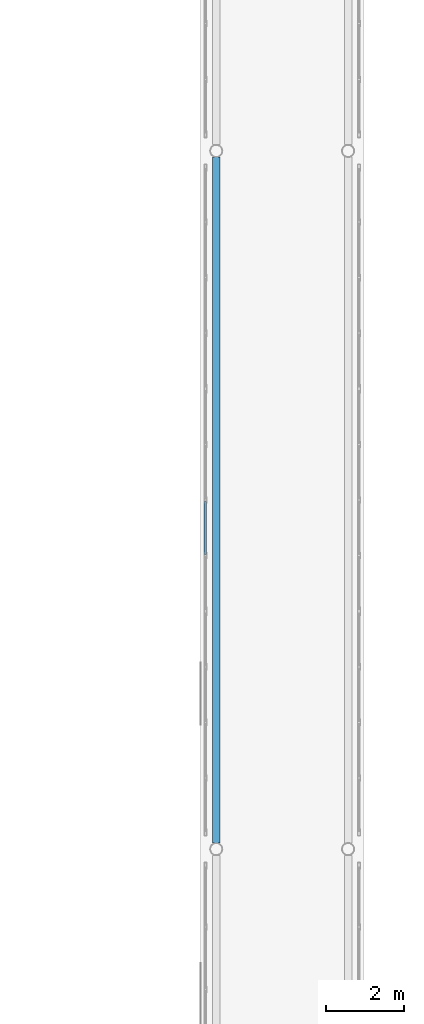
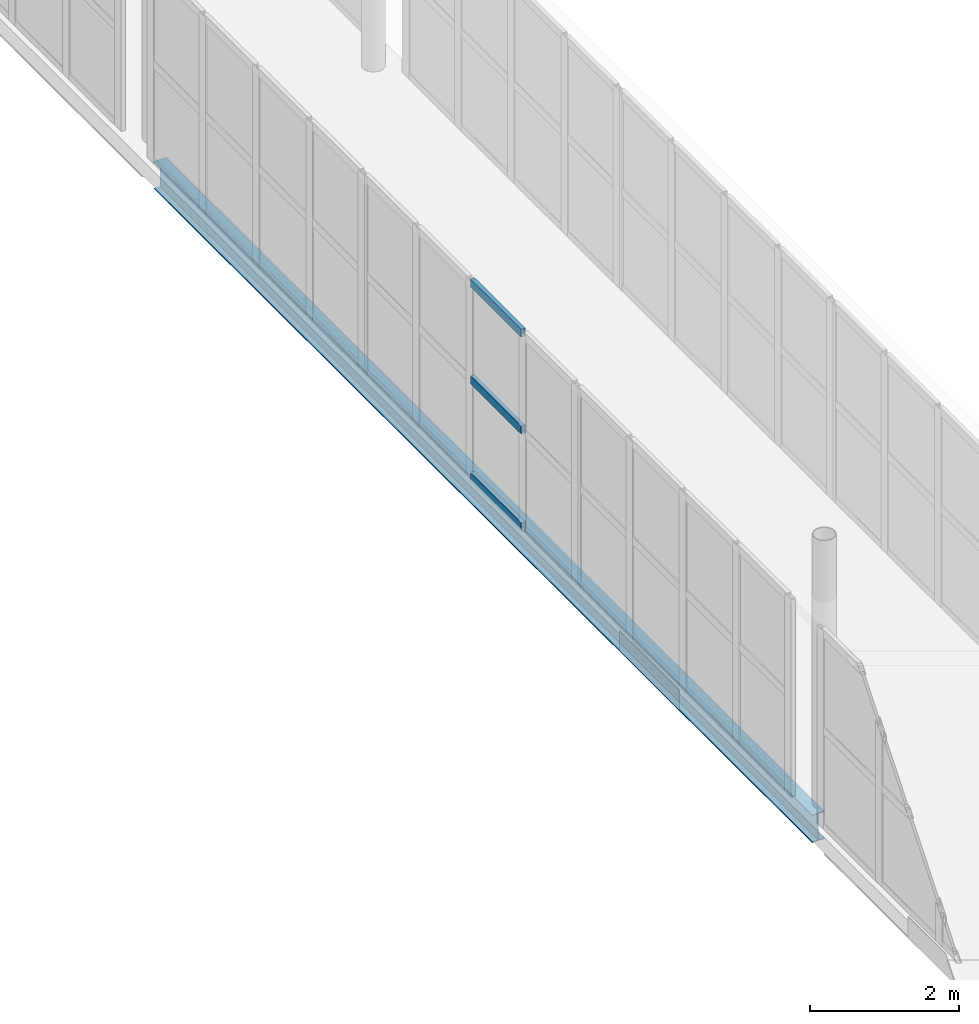
# One storey, part 36 of 142: 3 members, 1 beam, 1 element without a shape of its own.
"""IFC4 building model written with IfcOpenShell, lengths in metres."""

from ifc_helpers import new_model, si_unit, direction, frame, origin, origin_2d, place, context, subcontext, project, spatial, hollow_rectangle, i_section, extrude, material, layer, layer_set, material_profile, profile_set, type_object, element, aggregate, save


model = new_model("IFC4")

# Units and contexts
model_context = context("Model", 3, precision=1e-05, world=origin(), true_north=direction((0.0, 1.0)))
body_context = subcontext(model_context, "Body", "Model", "MODEL_VIEW")
ifc_project = project(units=[si_unit("LENGTHUNIT", "METRE"), si_unit("AREAUNIT", "SQUARE_METRE"), si_unit("VOLUMEUNIT", "CUBIC_METRE"), si_unit("PLANEANGLEUNIT", "RADIAN"), si_unit("MASSUNIT", "GRAM", prefix="KILO")], contexts=[model_context])

# Site, building, storey
site_placement = place(None, origin())
site = spatial("IfcSite", under=ifc_project, at=site_placement, CompositionType="ELEMENT")
building_placement = place(site_placement, origin())
building = spatial("IfcBuilding", under=site, at=building_placement, Name="Valcora Specialist Clinic", CompositionType="ELEMENT")
storey_placement = place(building_placement, frame((0.0, 0.0, 5.10009765625)))
storey = spatial("IfcBuildingStorey", under=building, at=storey_placement, Name="L01", CompositionType="ELEMENT", Elevation=5.10009765625)

# Beam
ifc_material_1 = material(Name="Steel ASTM A992 Grade 50", Category="steel")
ifc_material_profile_1 = material_profile(ifc_material_1, i_section(OverallWidth=0.18994140625, OverallDepth=0.45703125, WebThickness=0.009033203125, FlangeThickness=0.014892578125, at=origin_2d()), Name="ST-IR-460X190")
ifc_profile_set_1 = profile_set([ifc_material_profile_1], Name="Steel ASTM A992 Grade 50")
beam_type = type_object("IfcBeamType", Name="TY-BG-IR460", PredefinedType="HOLLOWCORE", material=ifc_profile_set_1)
beam_placement = place(storey_placement, frame((61.60009765625, 38.159912109375, -0.482666015625), z_axis=(0.0, 1.0, 0.0), x_axis=(-1.0, 0.0, 0.0)))
element("IfcBeam", 1, at=beam_placement, inside=storey, type_object=beam_type, Name="Bridge girder BM-L01-1619", PredefinedType="HOLLOWCORE", context=body_context, shape_type="SweptSolid", body=[
    extrude(i_section(OverallWidth=0.18994140625, OverallDepth=0.45703125, WebThickness=0.009033203125, FlangeThickness=0.014892578125, at=origin_2d()), origin(), (0.0, 0.0, 1.0), 17.68017578125),
])

# Curtain wall, members
ifc_material_2 = material(Name="Anodized Bronze Aluminium 6063-T6", Category="aluminium")
ifc_layer = layer(ifc_material_2, 0.175048828125)
ifc_layer_set = layer_set([ifc_layer], Name="Anodized Bronze Aluminium 6063-T6")
curtain_wall_type = type_object("IfcCurtainWallType", Name="TY-CW-BRG14", PredefinedType="NOTDEFINED", material=ifc_layer_set)
curtain_wall_placement = place(storey_placement, origin())
curtain_wall = element("IfcCurtainWall", 2, at=curtain_wall_placement, inside=storey, type_object=curtain_wall_type, Name="Curtain wall CW-L01-235", PredefinedType="NOTDEFINED")
ifc_material_profile_2 = material_profile(ifc_material_2, hollow_rectangle(XDim=0.06494140625, YDim=0.1298828125, WallThickness=0.00390625, at=origin_2d()), Name="AL-TRN-65X130")
ifc_profile_set_2 = profile_set([ifc_material_profile_2], Name="Anodized Bronze Aluminium 6063-T6")
member_type = type_object("IfcMemberType", Name="TY-CWT-65X130", PredefinedType="USERDEFINED", material=ifc_profile_set_2)
member_1_placement = place(storey_placement, frame((61.320068359375, 45.59912109375, 0.032470703125), z_axis=(0.0, 1.0, 0.0), x_axis=(-1.0, 0.0, 0.0)))
member_1 = element("IfcMember", 3, at=member_1_placement, type_object=member_type, Name="CW-BRG-14 transom 2.1", ObjectType="TRANSOM", PredefinedType="USERDEFINED", context=body_context, shape_type="SweptSolid", body=[
    extrude(hollow_rectangle(XDim=0.06494140625, YDim=0.1298828125, WallThickness=0.00390625, at=origin_2d()), origin(), (0.0, 0.0, 1.0), 1.368408203125),
])
member_2_placement = place(storey_placement, frame((61.320068359375, 45.59912109375, 1.619873046875), z_axis=(0.0, 1.0, 0.0), x_axis=(-1.0, 0.0, 0.0)))
member_2 = element("IfcMember", 4, at=member_2_placement, type_object=member_type, Name="CW-BRG-14 transom 2.2", ObjectType="TRANSOM", PredefinedType="USERDEFINED", context=body_context, shape_type="SweptSolid", body=[
    extrude(hollow_rectangle(XDim=0.06494140625, YDim=0.1298828125, WallThickness=0.00390625, at=origin_2d()), origin(), (0.0, 0.0, 1.0), 1.368408203125),
])
member_3_placement = place(storey_placement, frame((61.320068359375, 45.59912109375, 3.20751953125), z_axis=(0.0, 1.0, 0.0), x_axis=(-1.0, 0.0, 0.0)))
member_3 = element("IfcMember", 5, at=member_3_placement, type_object=member_type, Name="CW-BRG-14 transom 2.3", ObjectType="TRANSOM", PredefinedType="USERDEFINED", context=body_context, shape_type="SweptSolid", body=[
    extrude(hollow_rectangle(XDim=0.06494140625, YDim=0.1298828125, WallThickness=0.00390625, at=origin_2d()), origin(), (0.0, 0.0, 1.0), 1.368408203125),
])
aggregate(curtain_wall, [member_1, member_2, member_3])

save(model, "model.ifc")
